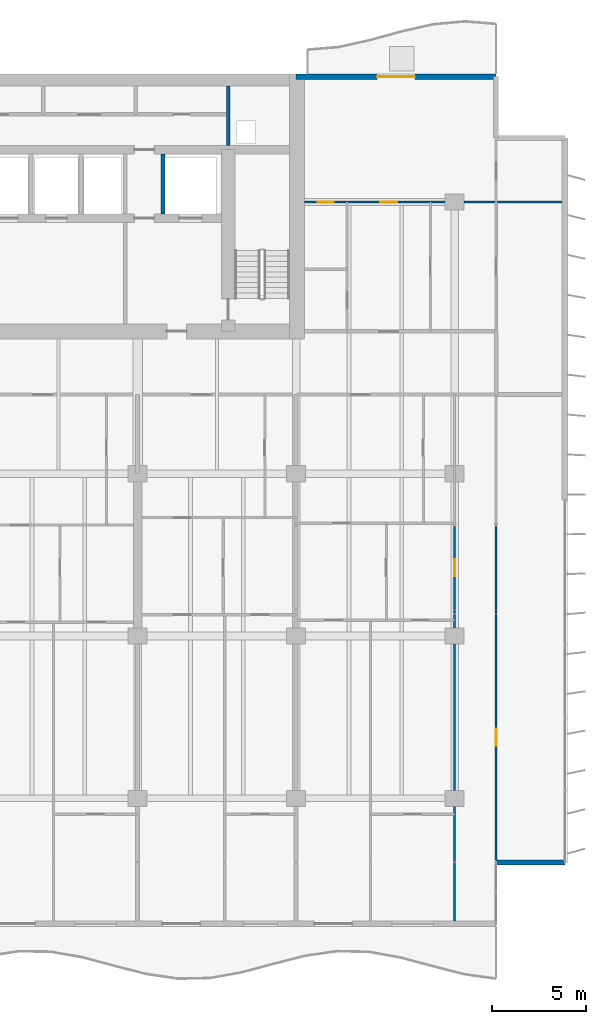
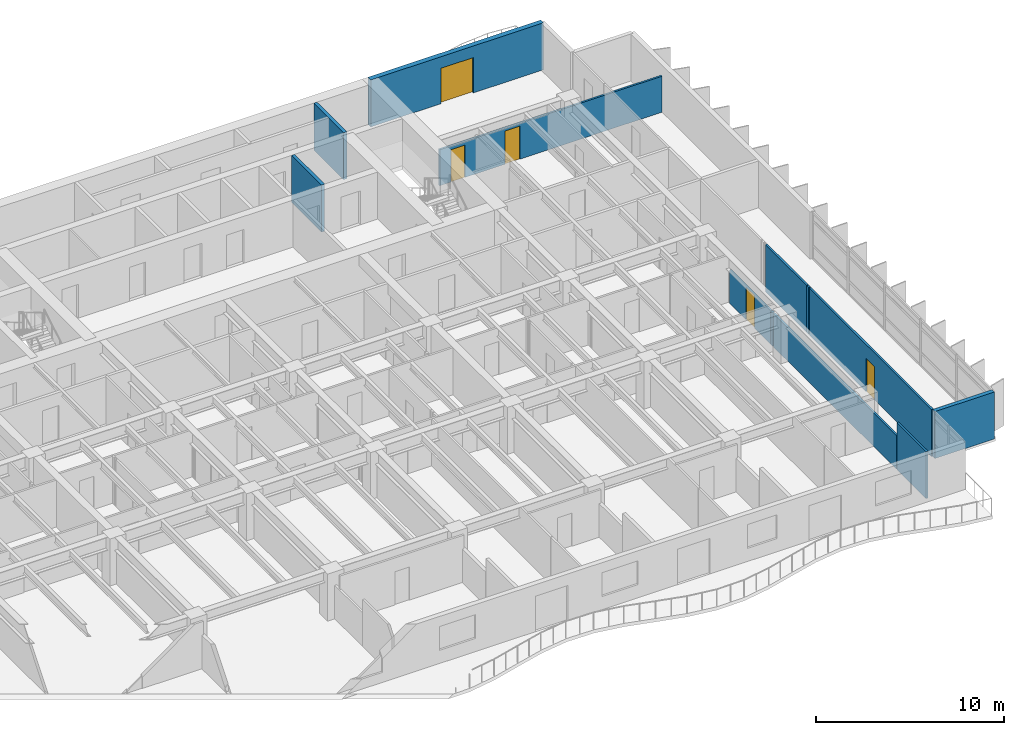
# One storey, part 14 of 20: 12 walls, 5 doors, 5 openings.
"""IFC4 building model written with IfcOpenShell, lengths in metres."""

from ifc_helpers import new_model, si_unit, direction, frame, frame_2d, origin, place, context, subcontext, project, spatial, rectangle, extrude, material, layer, layer_set, type_object, element, fill, save


model = new_model("IFC4")

# Units and contexts
model_context = context("Model", 3, precision=1e-05, world=origin(), true_north=direction((0.0, 1.0)))
body_context = subcontext(model_context, "Body", "Model", "MODEL_VIEW")
ifc_project = project(units=[si_unit("LENGTHUNIT", "METRE"), si_unit("AREAUNIT", "SQUARE_METRE"), si_unit("VOLUMEUNIT", "CUBIC_METRE"), si_unit("PLANEANGLEUNIT", "RADIAN"), si_unit("MASSUNIT", "GRAM", prefix="KILO")], contexts=[model_context])

# Site, building, storey
site_placement = place(None, origin())
site = spatial("IfcSite", under=ifc_project, at=site_placement, CompositionType="ELEMENT")
building_placement = place(site_placement, origin())
building = spatial("IfcBuilding", under=site, at=building_placement, Name="Caelmar Bay Residences", CompositionType="ELEMENT")
storey_placement = place(building_placement, frame((0.0, 0.0, 119.10009765625)))
storey = spatial("IfcBuildingStorey", under=building, at=storey_placement, Name="L32", CompositionType="ELEMENT", Elevation=119.10009765625)

# Wall
ifc_material_1 = material(Name="Precast concrete f'c 40 MPa (6,000 psi)", Category="concrete")
ifc_layer_1 = layer(ifc_material_1, 0.25)
ifc_layer_set_1 = layer_set([ifc_layer_1], Name="Precast concrete f'c 40 MPa (6,000 psi)")
wall_type_1 = type_object("IfcWallType", Name="W-EXT-250", PredefinedType="ELEMENTEDWALL", material=ifc_layer_set_1)
wall_1_placement = place(storey_placement, frame((70.10009765625, 8.800048828125, 0.0), z_axis=(0.0, 0.0, 1.0), x_axis=(1.0, 0.0, 0.0)))
element("IfcWall", 1, at=wall_1_placement, inside=storey, type_object=wall_type_1, Name="L32 SE Notch Return Wall", PredefinedType="ELEMENTEDWALL", context=body_context, shape_type="SweptSolid", body=[
    extrude(rectangle(XDim=3.64990234375, YDim=0.25, at=frame_2d((1.824951171875, 0.0))), origin(), (0.0, 0.0, 1.0), 3.0498046875),
])

# Wall, opening, door
ifc_layer_2 = layer(ifc_material_1, 0.300048828125)
ifc_layer_set_2 = layer_set([ifc_layer_2], Name="Precast concrete f'c 40 MPa (6,000 psi)")
wall_type_2 = type_object("IfcWallType", Name="W-EXT-300", PredefinedType="STANDARD", material=ifc_layer_set_2)
wall_2_placement = place(storey_placement, frame((59.5, 50.449951171875, 0.0), z_axis=(0.0, 0.0, 1.0), x_axis=(1.0, 0.0, 0.0)))
wall_2 = element("IfcWall", 2, at=wall_2_placement, inside=storey, type_object=wall_type_2, Name="L32 North-East Wing Exterior Wall", PredefinedType="STANDARD", context=body_context, shape_type="SweptSolid", body=[
    extrude(rectangle(XDim=10.60009765625, YDim=0.300048828125, at=frame_2d((5.300048828125, 0.0))), origin(), (0.0, 0.0, 1.0), 3.0498046875),
])
opening_1_placement = place(wall_2_placement, frame((4.300048828125, 0.0, 0.0)))
opening_1 = element("IfcOpeningElement", 3, at=opening_1_placement, cuts=wall_2, Name="Opening L32-BDNE", PredefinedType="OPENING", context=body_context, shape_type="SweptSolid", body=[
    extrude(rectangle(XDim=2.0, YDim=2.300048828125, at=frame_2d((1.0, 1.14990234375))), frame((0.0, 0.159912109375, 0.0), z_axis=(0.0, -1.0, 0.0), x_axis=(1.0, 0.0, 0.0)), (0.0, 0.0, 1.0), 0.320068359375),
])
ifc_material_2 = material(Name="Anodised bronze thermally broken sliding glass door", Category="glass")
ifc_layer_3 = layer(ifc_material_2, 0.050048828125)
ifc_layer_set_3 = layer_set([ifc_layer_3], Name="Anodised bronze thermally broken sliding glass door")
door_type_1 = type_object("IfcDoorType", Name="D-BAL-2000", OperationType="DOUBLE_DOOR_SLIDING", PredefinedType="DOOR", material=ifc_layer_set_3)
door_1_placement = place(opening_1_placement, origin())
door_1 = element("IfcDoor", 4, at=door_1_placement, inside=storey, type_object=door_type_1, Name="L32 North-East Balcony Door", OperationType="DOUBLE_DOOR_SLIDING", OverallHeight=2.300048828125, OverallWidth=2.0, PredefinedType="DOOR", context=body_context, shape_type="SweptSolid", body=[
    extrude(rectangle(XDim=2.0, YDim=2.300048828125, at=frame_2d((1.0, 1.14990234375))), frame((0.0, 0.02490234375, 0.0), z_axis=(0.0, -1.0, 0.0), x_axis=(1.0, 0.0, 0.0)), (0.0, 0.0, 1.0), 0.050048828125),
])
fill(opening_1, door_1)

# Walls
ifc_material_3 = material(Name="Fire-rated masonry and gypsum shaftliner assembly 200 mm", Category="masonry")
ifc_layer_4 = layer(ifc_material_3, 0.199951171875)
ifc_layer_set_4 = layer_set([ifc_layer_4], Name="Fire-rated masonry and gypsum shaftliner assembly 200 mm")
wall_type_3 = type_object("IfcWallType", Name="W-FSAE-200", PredefinedType="PARTITIONING", material=ifc_layer_set_4)
wall_3_placement = place(storey_placement, frame((52.449951171875, 43.169921875, 0.0), z_axis=(0.0, 0.0, 1.0), x_axis=(0.0, 1.0, 0.0)))
element("IfcWall", 5, at=wall_3_placement, inside=storey, type_object=wall_type_3, Name="L32 Partition Wall V082", PredefinedType="PARTITIONING", context=body_context, shape_type="SweptSolid", body=[
    extrude(rectangle(XDim=3.18505859375, YDim=0.199951171875, at=frame_2d((1.592529296875, 0.0))), origin(), (0.0, 0.0, 1.0), 3.0498046875),
])
wall_4_placement = place(storey_placement, frame((55.89990234375, 46.794921875, 0.0), z_axis=(0.0, 0.0, 1.0), x_axis=(0.0, 1.0, 0.0)))
element("IfcWall", 6, at=wall_4_placement, inside=storey, type_object=wall_type_3, Name="L32 Partition Wall V089", PredefinedType="PARTITIONING", context=body_context, shape_type="SweptSolid", body=[
    extrude(rectangle(XDim=3.16015625, YDim=0.199951171875, at=frame_2d((1.580078125, 0.0))), origin(), (0.0, 0.0, 1.0), 3.0498046875),
])
ifc_material_4 = material(Name="Acoustic metal-stud gypsum partition 120 mm")
ifc_layer_5 = layer(ifc_material_4, 0.1201171875)
ifc_layer_set_5 = layer_set([ifc_layer_5], Name="Acoustic metal-stud gypsum partition 120 mm")
wall_type_4 = type_object("IfcWallType", Name="W-PRT-120", PredefinedType="PARTITIONING", material=ifc_layer_set_5)
wall_5_placement = place(storey_placement, frame((67.89990234375, 5.695068359375, 0.0), z_axis=(0.0, 0.0, 1.0), x_axis=(0.0, 1.0, 0.0)))
element("IfcWall", 7, at=wall_5_placement, inside=storey, type_object=wall_type_4, Name="L32 Partition Wall V108", PredefinedType="PARTITIONING", context=body_context, shape_type="SweptSolid", body=[
    extrude(rectangle(XDim=3.10498046875, YDim=0.1201171875, at=frame_2d((1.552490234375, 0.0))), origin(), (0.0, 0.0, 1.0), 3.0498046875),
])
wall_6_placement = place(storey_placement, frame((67.89990234375, 8.840087890625, 0.0), z_axis=(0.0, 0.0, 1.0), x_axis=(0.0, 1.0, 0.0)))
element("IfcWall", 8, at=wall_6_placement, inside=storey, type_object=wall_type_4, Name="L32 Partition Wall V109", PredefinedType="PARTITIONING", context=body_context, shape_type="SweptSolid", body=[
    extrude(rectangle(XDim=13.08984375, YDim=0.1201171875, at=frame_2d((6.544921875, 0.0))), origin(), (0.0, 0.0, 1.0), 2.173828125),
])
wall_7_placement = place(storey_placement, frame((67.89990234375, 22.0, 0.0), z_axis=(0.0, 0.0, 1.0), x_axis=(0.0, 1.0, 0.0)))
element("IfcWall", 9, at=wall_7_placement, inside=storey, type_object=wall_type_4, Name="L32 Partition Wall V110", PredefinedType="PARTITIONING", context=body_context, shape_type="SweptSolid", body=[
    extrude(rectangle(XDim=0.199951171875, YDim=0.1201171875, at=frame_2d((0.10009765625, 0.0))), origin(), (0.0, 0.0, 1.0), 2.173828125),
])

# Wall, opening, door
wall_8_placement = place(storey_placement, frame((67.89990234375, 22.219970703125, 0.0), z_axis=(0.0, 0.0, 1.0), x_axis=(0.0, 1.0, 0.0)))
wall_8 = element("IfcWall", 10, at=wall_8_placement, inside=storey, type_object=wall_type_4, Name="L32 Partition Wall V111", PredefinedType="PARTITIONING", context=body_context, shape_type="SweptSolid", body=[
    extrude(rectangle(XDim=4.380126953125, YDim=0.1201171875, at=frame_2d((2.18994140625, 0.0))), origin(), (0.0, 0.0, 1.0), 2.173828125),
])
opening_2_placement = place(wall_8_placement, frame((1.739990234375, 0.0, 0.0)))
opening_2 = element("IfcOpeningElement", 11, at=opening_2_placement, cuts=wall_8, Name="Opening D-L32-164", PredefinedType="OPENING", context=body_context, shape_type="SweptSolid", body=[
    extrude(rectangle(XDim=0.89990234375, YDim=2.1240234375, at=frame_2d((0.449951171875, 1.06201171875))), frame((0.0, 0.070068359375, 0.0), z_axis=(0.0, -1.0, 0.0), x_axis=(1.0, 0.0, 0.0)), (0.0, 0.0, 1.0), 0.14013671875),
])
ifc_material_5 = material(Name="Solid walnut timber interior door leaf and frame", Category="wood")
ifc_layer_6 = layer(ifc_material_5, 0.050048828125)
ifc_layer_set_6 = layer_set([ifc_layer_6], Name="Solid walnut timber interior door leaf and frame")
door_type_2 = type_object("IfcDoorType", Name="D-ROOM-900", OperationType="NOTDEFINED", PredefinedType="DOOR", material=ifc_layer_set_6)
door_2_placement = place(opening_2_placement, origin())
door_2 = element("IfcDoor", 12, at=door_2_placement, inside=storey, type_object=door_type_2, Name="L32 Residence 05 East Apartment Hall Door", OperationType="SINGLE_SWING_RIGHT", OverallHeight=2.1240234375, OverallWidth=0.89990234375, PredefinedType="DOOR", context=body_context, shape_type="SweptSolid", body=[
    extrude(rectangle(XDim=0.89990234375, YDim=2.1240234375, at=frame_2d((0.449951171875, 1.06201171875))), frame((0.0, 0.02490234375, 0.0), z_axis=(0.0, -1.0, 0.0), x_axis=(1.0, 0.0, 0.0)), (0.0, 0.0, 1.0), 0.050048828125),
])
fill(opening_2, door_2)

wall_9_placement = place(storey_placement, frame((70.10009765625, 8.919921875, 0.0), z_axis=(0.0, 0.0, 1.0), x_axis=(0.0, 1.0, 0.0)))
wall_9 = element("IfcWall", 13, at=wall_9_placement, inside=storey, type_object=wall_type_4, Name="L32 Partition Wall V115", PredefinedType="PARTITIONING", context=body_context, shape_type="SweptSolid", body=[
    extrude(rectangle(XDim=13.010009765625, YDim=0.1201171875, at=frame_2d((6.5048828125, 0.0))), origin(), (0.0, 0.0, 1.0), 3.0498046875),
])
opening_3_placement = place(wall_9_placement, frame((6.054931640625, 0.0, 0.0)))
opening_3 = element("IfcOpeningElement", 14, at=opening_3_placement, cuts=wall_9, Name="Opening D-L32-166", PredefinedType="OPENING", context=body_context, shape_type="SweptSolid", body=[
    extrude(rectangle(XDim=0.89990234375, YDim=2.14990234375, at=frame_2d((0.449951171875, 1.074951171875))), frame((0.0, 0.070068359375, 0.0), z_axis=(0.0, -1.0, 0.0), x_axis=(1.0, 0.0, 0.0)), (0.0, 0.0, 1.0), 0.14013671875),
])
door_3_placement = place(opening_3_placement, origin())
door_3 = element("IfcDoor", 15, at=door_3_placement, inside=storey, type_object=door_type_2, Name="L32 Residence 05 Penthouse East Salon Door", OperationType="SINGLE_SWING_RIGHT", OverallHeight=2.14990234375, OverallWidth=0.89990234375, PredefinedType="DOOR", context=body_context, shape_type="SweptSolid", body=[
    extrude(rectangle(XDim=0.89990234375, YDim=2.14990234375, at=frame_2d((0.449951171875, 1.074951171875))), frame((0.0, 0.02490234375, 0.0), z_axis=(0.0, -1.0, 0.0), x_axis=(1.0, 0.0, 0.0)), (0.0, 0.0, 1.0), 0.050048828125),
])
fill(opening_3, door_3)

# Walls
wall_10_placement = place(storey_placement, frame((70.10009765625, 22.0, 0.0), z_axis=(0.0, 0.0, 1.0), x_axis=(0.0, 1.0, 0.0)))
element("IfcWall", 16, at=wall_10_placement, inside=storey, type_object=wall_type_4, Name="L32 Partition Wall V116", PredefinedType="PARTITIONING", context=body_context, shape_type="SweptSolid", body=[
    extrude(rectangle(XDim=0.199951171875, YDim=0.1201171875, at=frame_2d((0.10009765625, 0.0))), origin(), (0.0, 0.0, 1.0), 3.0498046875),
])
wall_11_placement = place(storey_placement, frame((70.10009765625, 22.219970703125, 0.0), z_axis=(0.0, 0.0, 1.0), x_axis=(0.0, 1.0, 0.0)))
element("IfcWall", 17, at=wall_11_placement, inside=storey, type_object=wall_type_4, Name="L32 Partition Wall V117", PredefinedType="PARTITIONING", context=body_context, shape_type="SweptSolid", body=[
    extrude(rectangle(XDim=4.380126953125, YDim=0.1201171875, at=frame_2d((2.18994140625, 0.0))), origin(), (0.0, 0.0, 1.0), 3.0498046875),
])

# Wall, openings, doors
wall_12_placement = place(storey_placement, frame((59.945068359375, 43.800048828125, 0.0), z_axis=(0.0, 0.0, 1.0), x_axis=(1.0, 0.0, 0.0)))
wall_12 = element("IfcWall", 18, at=wall_12_placement, inside=storey, type_object=wall_type_4, Name="L32 Partition Wall H153", PredefinedType="PARTITIONING", context=body_context, shape_type="SweptSolid", body=[
    extrude(rectangle(XDim=13.659912109375, YDim=0.1201171875, at=frame_2d((6.830078125, 0.0))), origin(), (0.0, 0.0, 1.0), 2.3388671875),
])
opening_4_placement = place(wall_12_placement, frame((4.01708984375, 0.0, 0.0)))
opening_4 = element("IfcOpeningElement", 19, at=opening_4_placement, cuts=wall_12, Name="Opening D-L32-176", PredefinedType="OPENING", context=body_context, shape_type="SweptSolid", body=[
    extrude(rectangle(XDim=0.89990234375, YDim=2.14990234375, at=frame_2d((0.449951171875, 1.074951171875))), frame((0.0, 0.070068359375, 0.0), z_axis=(0.0, -1.0, 0.0), x_axis=(1.0, 0.0, 0.0)), (0.0, 0.0, 1.0), 0.14013671875),
])
opening_5_placement = place(wall_12_placement, frame((0.702392578125, 0.0, 0.0)))
opening_5 = element("IfcOpeningElement", 20, at=opening_5_placement, cuts=wall_12, Name="Opening D-L32-178", PredefinedType="OPENING", context=body_context, shape_type="SweptSolid", body=[
    extrude(rectangle(XDim=0.85009765625, YDim=2.10009765625, at=frame_2d((0.425048828125, 1.050048828125))), frame((0.0, 0.070068359375, 0.0), z_axis=(0.0, -1.0, 0.0), x_axis=(1.0, 0.0, 0.0)), (0.0, 0.0, 1.0), 0.14013671875),
])
ifc_layer_7 = layer(ifc_material_5, 0.050048828125)
ifc_layer_set_7 = layer_set([ifc_layer_7], Name="Solid walnut timber interior door leaf and frame")
door_type_3 = type_object("IfcDoorType", Name="D-BATH-850", OperationType="NOTDEFINED", PredefinedType="DOOR", material=ifc_layer_set_7)
door_4_placement = place(opening_5_placement, origin())
door_4 = element("IfcDoor", 21, at=door_4_placement, inside=storey, type_object=door_type_3, Name="L32 Residence EA Bathroom Door", OperationType="SINGLE_SWING_RIGHT", OverallHeight=2.10009765625, OverallWidth=0.85009765625, PredefinedType="DOOR", context=body_context, shape_type="SweptSolid", body=[
    extrude(rectangle(XDim=0.85009765625, YDim=2.10009765625, at=frame_2d((0.425048828125, 1.050048828125))), frame((0.0, 0.02490234375, 0.0), z_axis=(0.0, -1.0, 0.0), x_axis=(1.0, 0.0, 0.0)), (0.0, 0.0, 1.0), 0.050048828125),
])
fill(opening_5, door_4)
door_5_placement = place(opening_4_placement, origin())
door_5 = element("IfcDoor", 22, at=door_5_placement, inside=storey, type_object=door_type_2, Name="L32 Residence EA Studio Living and Sleeping Room Door", OperationType="SINGLE_SWING_RIGHT", OverallHeight=2.14990234375, OverallWidth=0.89990234375, PredefinedType="DOOR", context=body_context, shape_type="SweptSolid", body=[
    extrude(rectangle(XDim=0.89990234375, YDim=2.14990234375, at=frame_2d((0.449951171875, 1.074951171875))), frame((0.0, 0.02490234375, 0.0), z_axis=(0.0, -1.0, 0.0), x_axis=(1.0, 0.0, 0.0)), (0.0, 0.0, 1.0), 0.050048828125),
])
fill(opening_4, door_5)

save(model, "model.ifc")
